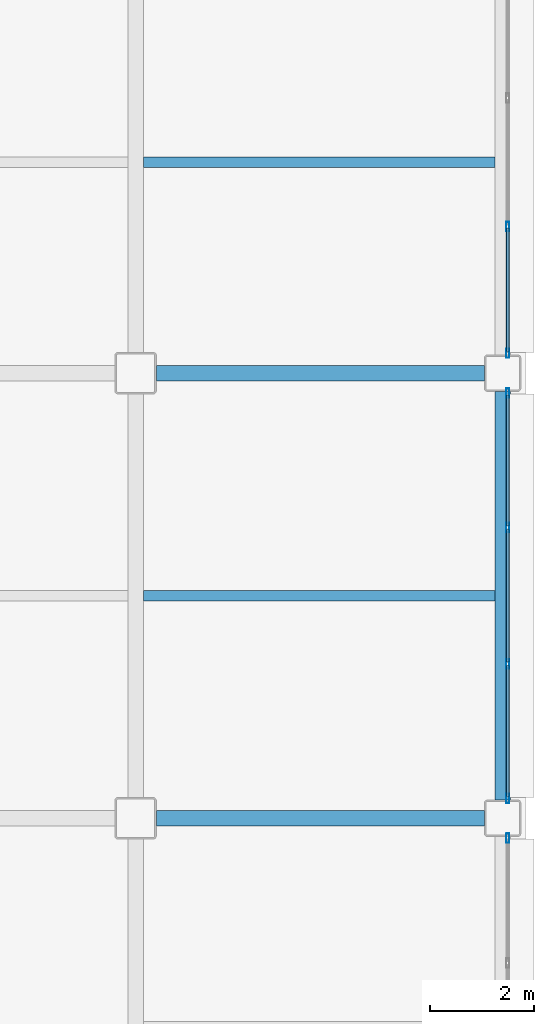
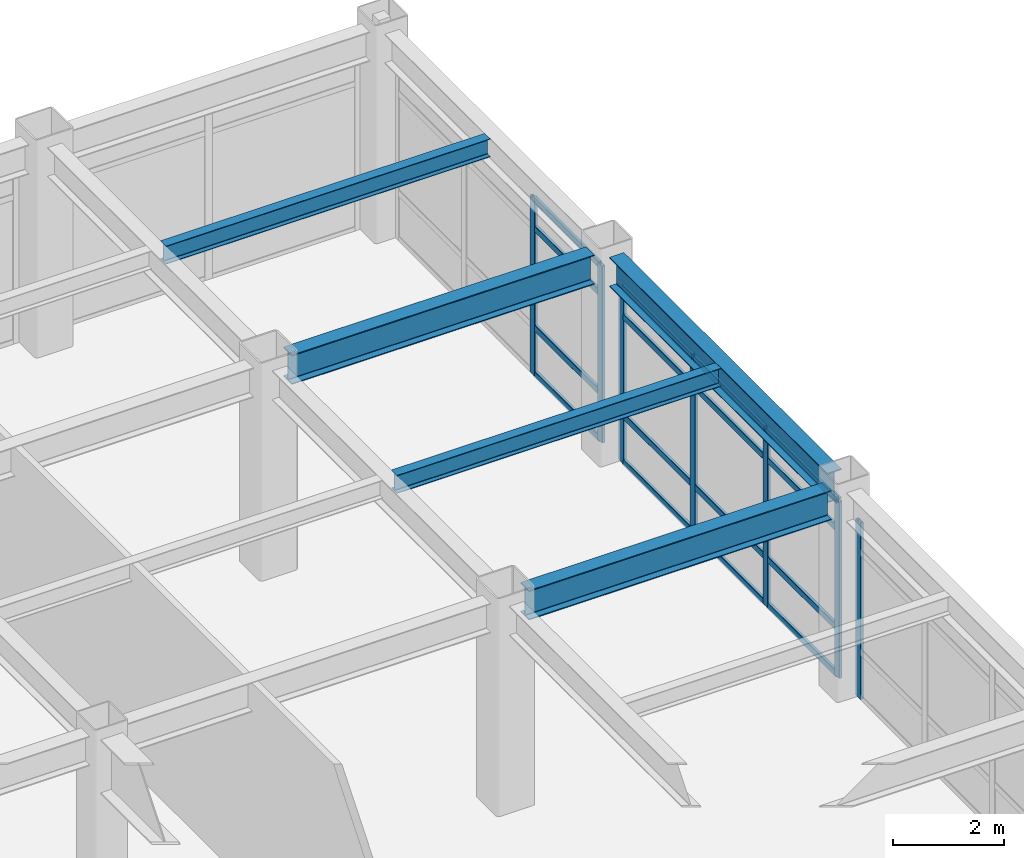
# One storey, part 112 of 154: 23 members, 5 beams, 3 elements without a shape of their own.
"""IFC4 building model written with IfcOpenShell, lengths in metres."""

from ifc_helpers import new_model, si_unit, direction, frame, origin, origin_2d, place, context, subcontext, project, spatial, hollow_rectangle, i_section, extrude, material, layer, layer_set, material_profile, profile_set, type_object, element, aggregate, save


model = new_model("IFC4")

# Units and contexts
model_context = context("Model", 3, precision=1e-05, world=origin(), true_north=direction((0.0, 1.0)))
body_context = subcontext(model_context, "Body", "Model", "MODEL_VIEW")
ifc_project = project(units=[si_unit("LENGTHUNIT", "METRE"), si_unit("AREAUNIT", "SQUARE_METRE"), si_unit("VOLUMEUNIT", "CUBIC_METRE"), si_unit("PLANEANGLEUNIT", "RADIAN"), si_unit("MASSUNIT", "GRAM", prefix="KILO")], contexts=[model_context])

# Site, building, storey
site_placement = place(None, origin())
site = spatial("IfcSite", under=ifc_project, at=site_placement, CompositionType="ELEMENT")
building_placement = place(site_placement, origin())
building = spatial("IfcBuilding", under=site, at=building_placement, Name="Kazehara Bluff Congress Hotel", CompositionType="ELEMENT")
storey_placement = place(building_placement, frame((0.0, 0.0, 10.199951171875)))
storey = spatial("IfcBuildingStorey", under=building, at=storey_placement, Name="L02", CompositionType="ELEMENT", Elevation=10.199951171875)

# Curtain wall, member
ifc_material_1 = material(Name="Anodised aluminium", Category="aluminium")
ifc_layer_1 = layer(ifc_material_1, 0.159912109375)
ifc_layer_set_1 = layer_set([ifc_layer_1], Name="Anodised aluminium")
curtain_wall_type_1 = type_object("IfcCurtainWallType", Name="TP-CW-80", PredefinedType="NOTDEFINED", material=ifc_layer_set_1)
curtain_wall_1_placement = place(storey_placement, origin())
curtain_wall_1 = element("IfcCurtainWall", 1, at=curtain_wall_1_placement, inside=storey, type_object=curtain_wall_type_1, Name="L02 curtain wall CW-80 CW-ENC-V5-L02-16765-9290", PredefinedType="NOTDEFINED")
ifc_material_2 = material(Name="Anodised aluminium", Category="aluminium")
ifc_material_profile_1 = material_profile(ifc_material_2, hollow_rectangle(XDim=0.06494140625, YDim=0.179931640625, WallThickness=0.00390625, InnerFilletRadius=0.00390625, OuterFilletRadius=0.008056640625, at=origin_2d()))
ifc_profile_set_1 = profile_set([ifc_material_profile_1], Name="Anodised aluminium")
member_type_1 = type_object("IfcMemberType", Name="TP-CWM-02", PredefinedType="MULLION", material=ifc_profile_set_1)
member_1_placement = place(storey_placement, frame((167.64990234375, 96.517578125, 0.0), z_axis=(0.0, 0.0, 1.0), x_axis=(1.0, 0.0, 0.0)))
member_1 = element("IfcMember", 2, at=member_1_placement, type_object=member_type_1, Name="CW-80 mullion 1", PredefinedType="MULLION", context=body_context, shape_type="SweptSolid", body=[
    extrude(hollow_rectangle(XDim=0.06494140625, YDim=0.179931640625, WallThickness=0.00390625, InnerFilletRadius=0.00390625, OuterFilletRadius=0.008056640625, at=origin_2d()), origin(), (0.0, 0.0, 1.0), 3.885009765625),
])
aggregate(curtain_wall_1, [member_1])

# Curtain wall, members
ifc_material_3 = material(Name="Anodised aluminium", Category="aluminium")
ifc_layer_2 = layer(ifc_material_3, 0.159912109375)
ifc_layer_set_2 = layer_set([ifc_layer_2], Name="Anodised aluminium")
curtain_wall_type_2 = type_object("IfcCurtainWallType", Name="TP-CW-117", PredefinedType="NOTDEFINED", material=ifc_layer_set_2)
curtain_wall_2_placement = place(storey_placement, origin())
curtain_wall_2 = element("IfcCurtainWall", 3, at=curtain_wall_2_placement, inside=storey, type_object=curtain_wall_type_2, Name="L02 curtain wall CW-117 CW-ENC-V5-L02-16765-10118", PredefinedType="NOTDEFINED")
member_2_placement = place(storey_placement, frame((167.64990234375, 105.0673828125, 0.0), z_axis=(0.0, 0.0, 1.0), x_axis=(1.0, 0.0, 0.0)))
member_2 = element("IfcMember", 4, at=member_2_placement, type_object=member_type_1, Name="CW-117 mullion 1", PredefinedType="MULLION", context=body_context, shape_type="SweptSolid", body=[
    extrude(hollow_rectangle(XDim=0.06494140625, YDim=0.179931640625, WallThickness=0.00390625, InnerFilletRadius=0.00390625, OuterFilletRadius=0.008056640625, at=origin_2d()), origin(), (0.0, 0.0, 1.0), 3.885009765625),
])
member_3_placement = place(storey_placement, frame((167.64990234375, 102.4833984375, 0.0), z_axis=(0.0, 0.0, 1.0), x_axis=(1.0, 0.0, 0.0)))
member_3 = element("IfcMember", 5, at=member_3_placement, type_object=member_type_1, Name="CW-117 mullion 2", PredefinedType="MULLION", context=body_context, shape_type="SweptSolid", body=[
    extrude(hollow_rectangle(XDim=0.06494140625, YDim=0.179931640625, WallThickness=0.00390625, InnerFilletRadius=0.00390625, OuterFilletRadius=0.008056640625, at=origin_2d()), origin(), (0.0, 0.0, 1.0), 3.885009765625),
])
member_4_placement = place(storey_placement, frame((167.64990234375, 99.86669921875, 0.0), z_axis=(0.0, 0.0, 1.0), x_axis=(1.0, 0.0, 0.0)))
member_4 = element("IfcMember", 6, at=member_4_placement, type_object=member_type_1, Name="CW-117 mullion 3", PredefinedType="MULLION", context=body_context, shape_type="SweptSolid", body=[
    extrude(hollow_rectangle(XDim=0.06494140625, YDim=0.179931640625, WallThickness=0.00390625, InnerFilletRadius=0.00390625, OuterFilletRadius=0.008056640625, at=origin_2d()), origin(), (0.0, 0.0, 1.0), 3.885009765625),
])
member_5_placement = place(storey_placement, frame((167.64990234375, 97.282470703125, 0.0), z_axis=(0.0, 0.0, 1.0), x_axis=(1.0, 0.0, 0.0)))
member_5 = element("IfcMember", 7, at=member_5_placement, type_object=member_type_1, Name="CW-117 mullion 4", PredefinedType="MULLION", context=body_context, shape_type="SweptSolid", body=[
    extrude(hollow_rectangle(XDim=0.06494140625, YDim=0.179931640625, WallThickness=0.00390625, InnerFilletRadius=0.00390625, OuterFilletRadius=0.008056640625, at=origin_2d()), origin(), (0.0, 0.0, 1.0), 3.885009765625),
])

ifc_material_4 = material(Name="Anodised aluminium", Category="aluminium")
ifc_layer_3 = layer(ifc_material_4, 0.159912109375)
ifc_layer_set_3 = layer_set([ifc_layer_3], Name="Anodised aluminium")
curtain_wall_type_3 = type_object("IfcCurtainWallType", Name="TP-CW-34", PredefinedType="NOTDEFINED", material=ifc_layer_set_3)
curtain_wall_3_placement = place(storey_placement, origin())
curtain_wall_3 = element("IfcCurtainWall", 8, at=curtain_wall_3_placement, inside=storey, type_object=curtain_wall_type_3, Name="L02 curtain wall CW-34 CW-ENC-V5-L02-16765-10950", PredefinedType="NOTDEFINED")
member_6_placement = place(storey_placement, frame((167.64990234375, 108.2666015625, 0.0), z_axis=(0.0, 0.0, 1.0), x_axis=(1.0, 0.0, 0.0)))
member_6 = element("IfcMember", 9, at=member_6_placement, type_object=member_type_1, Name="CW-34 mullion 3", PredefinedType="MULLION", context=body_context, shape_type="SweptSolid", body=[
    extrude(hollow_rectangle(XDim=0.06494140625, YDim=0.179931640625, WallThickness=0.00390625, InnerFilletRadius=0.00390625, OuterFilletRadius=0.008056640625, at=origin_2d()), origin(), (0.0, 0.0, 1.0), 3.885009765625),
])
member_7_placement = place(storey_placement, frame((167.64990234375, 105.83251953125, 0.0), z_axis=(0.0, 0.0, 1.0), x_axis=(1.0, 0.0, 0.0)))
member_7 = element("IfcMember", 10, at=member_7_placement, type_object=member_type_1, Name="CW-34 mullion 4", PredefinedType="MULLION", context=body_context, shape_type="SweptSolid", body=[
    extrude(hollow_rectangle(XDim=0.06494140625, YDim=0.179931640625, WallThickness=0.00390625, InnerFilletRadius=0.00390625, OuterFilletRadius=0.008056640625, at=origin_2d()), origin(), (0.0, 0.0, 1.0), 3.885009765625),
])

# Member
ifc_material_5 = material(Name="Anodised aluminium", Category="aluminium")
ifc_material_profile_2 = material_profile(ifc_material_5, hollow_rectangle(XDim=0.06494140625, YDim=0.139892578125, WallThickness=0.00390625, InnerFilletRadius=0.00390625, OuterFilletRadius=0.008056640625, at=origin_2d()))
ifc_profile_set_2 = profile_set([ifc_material_profile_2], Name="Anodised aluminium")
member_type_2 = type_object("IfcMemberType", Name="TP-CWT-02", PredefinedType="USERDEFINED", material=ifc_profile_set_2)
member_8_placement = place(storey_placement, frame((167.64990234375, 105.034912109375, 0.032470703125), z_axis=(0.0, -1.0, 0.0), x_axis=(1.0, 0.0, 0.0)))
member_8 = element("IfcMember", 11, at=member_8_placement, type_object=member_type_2, Name="CW-117 transom 1.1", ObjectType="TRANSOM", PredefinedType="USERDEFINED", context=body_context, shape_type="SweptSolid", body=[
    extrude(hollow_rectangle(XDim=0.06494140625, YDim=0.139892578125, WallThickness=0.00390625, InnerFilletRadius=0.00390625, OuterFilletRadius=0.008056640625, at=origin_2d()), origin(), (0.0, 0.0, 1.0), 2.51904296875),
])

member_9_placement = place(storey_placement, frame((167.64990234375, 105.034912109375, 1.050048828125), z_axis=(0.0, -1.0, 0.0), x_axis=(1.0, 0.0, 0.0)))
member_9 = element("IfcMember", 12, at=member_9_placement, type_object=member_type_2, Name="CW-117 transom 1.2", ObjectType="TRANSOM", PredefinedType="USERDEFINED", context=body_context, shape_type="SweptSolid", body=[
    extrude(hollow_rectangle(XDim=0.06494140625, YDim=0.139892578125, WallThickness=0.00390625, InnerFilletRadius=0.00390625, OuterFilletRadius=0.008056640625, at=origin_2d()), origin(), (0.0, 0.0, 1.0), 2.51904296875),
])

member_10_placement = place(storey_placement, frame((167.64990234375, 105.034912109375, 3.235107421875), z_axis=(0.0, -1.0, 0.0), x_axis=(1.0, 0.0, 0.0)))
member_10 = element("IfcMember", 13, at=member_10_placement, type_object=member_type_2, Name="CW-117 transom 1.3", ObjectType="TRANSOM", PredefinedType="USERDEFINED", context=body_context, shape_type="SweptSolid", body=[
    extrude(hollow_rectangle(XDim=0.06494140625, YDim=0.139892578125, WallThickness=0.00390625, InnerFilletRadius=0.00390625, OuterFilletRadius=0.008056640625, at=origin_2d()), origin(), (0.0, 0.0, 1.0), 2.51904296875),
])

member_11_placement = place(storey_placement, frame((167.64990234375, 105.034912109375, 3.8525390625), z_axis=(0.0, -1.0, 0.0), x_axis=(1.0, 0.0, 0.0)))
member_11 = element("IfcMember", 14, at=member_11_placement, type_object=member_type_2, Name="CW-117 transom 1.4", ObjectType="TRANSOM", PredefinedType="USERDEFINED", context=body_context, shape_type="SweptSolid", body=[
    extrude(hollow_rectangle(XDim=0.06494140625, YDim=0.139892578125, WallThickness=0.00390625, InnerFilletRadius=0.00390625, OuterFilletRadius=0.008056640625, at=origin_2d()), origin(), (0.0, 0.0, 1.0), 2.51904296875),
])

member_12_placement = place(storey_placement, frame((167.64990234375, 102.450927734375, 0.032470703125), z_axis=(0.0, -1.0, 0.0), x_axis=(1.0, 0.0, 0.0)))
member_12 = element("IfcMember", 15, at=member_12_placement, type_object=member_type_2, Name="CW-117 transom 2.1", ObjectType="TRANSOM", PredefinedType="USERDEFINED", context=body_context, shape_type="SweptSolid", body=[
    extrude(hollow_rectangle(XDim=0.06494140625, YDim=0.139892578125, WallThickness=0.00390625, InnerFilletRadius=0.00390625, OuterFilletRadius=0.008056640625, at=origin_2d()), origin(), (0.0, 0.0, 1.0), 2.5517578125),
])

member_13_placement = place(storey_placement, frame((167.64990234375, 102.450927734375, 1.050048828125), z_axis=(0.0, -1.0, 0.0), x_axis=(1.0, 0.0, 0.0)))
member_13 = element("IfcMember", 16, at=member_13_placement, type_object=member_type_2, Name="CW-117 transom 2.2", ObjectType="TRANSOM", PredefinedType="USERDEFINED", context=body_context, shape_type="SweptSolid", body=[
    extrude(hollow_rectangle(XDim=0.06494140625, YDim=0.139892578125, WallThickness=0.00390625, InnerFilletRadius=0.00390625, OuterFilletRadius=0.008056640625, at=origin_2d()), origin(), (0.0, 0.0, 1.0), 2.5517578125),
])

member_14_placement = place(storey_placement, frame((167.64990234375, 102.450927734375, 3.235107421875), z_axis=(0.0, -1.0, 0.0), x_axis=(1.0, 0.0, 0.0)))
member_14 = element("IfcMember", 17, at=member_14_placement, type_object=member_type_2, Name="CW-117 transom 2.3", ObjectType="TRANSOM", PredefinedType="USERDEFINED", context=body_context, shape_type="SweptSolid", body=[
    extrude(hollow_rectangle(XDim=0.06494140625, YDim=0.139892578125, WallThickness=0.00390625, InnerFilletRadius=0.00390625, OuterFilletRadius=0.008056640625, at=origin_2d()), origin(), (0.0, 0.0, 1.0), 2.5517578125),
])

member_15_placement = place(storey_placement, frame((167.64990234375, 102.450927734375, 3.8525390625), z_axis=(0.0, -1.0, 0.0), x_axis=(1.0, 0.0, 0.0)))
member_15 = element("IfcMember", 18, at=member_15_placement, type_object=member_type_2, Name="CW-117 transom 2.4", ObjectType="TRANSOM", PredefinedType="USERDEFINED", context=body_context, shape_type="SweptSolid", body=[
    extrude(hollow_rectangle(XDim=0.06494140625, YDim=0.139892578125, WallThickness=0.00390625, InnerFilletRadius=0.00390625, OuterFilletRadius=0.008056640625, at=origin_2d()), origin(), (0.0, 0.0, 1.0), 2.5517578125),
])

member_16_placement = place(storey_placement, frame((167.64990234375, 99.834228515625, 0.032470703125), z_axis=(0.0, -1.0, 0.0), x_axis=(1.0, 0.0, 0.0)))
member_16 = element("IfcMember", 19, at=member_16_placement, type_object=member_type_2, Name="CW-117 transom 3.1", ObjectType="TRANSOM", PredefinedType="USERDEFINED", context=body_context, shape_type="SweptSolid", body=[
    extrude(hollow_rectangle(XDim=0.06494140625, YDim=0.139892578125, WallThickness=0.00390625, InnerFilletRadius=0.00390625, OuterFilletRadius=0.008056640625, at=origin_2d()), origin(), (0.0, 0.0, 1.0), 2.519287109375),
])

member_17_placement = place(storey_placement, frame((167.64990234375, 99.834228515625, 1.050048828125), z_axis=(0.0, -1.0, 0.0), x_axis=(1.0, 0.0, 0.0)))
member_17 = element("IfcMember", 20, at=member_17_placement, type_object=member_type_2, Name="CW-117 transom 3.2", ObjectType="TRANSOM", PredefinedType="USERDEFINED", context=body_context, shape_type="SweptSolid", body=[
    extrude(hollow_rectangle(XDim=0.06494140625, YDim=0.139892578125, WallThickness=0.00390625, InnerFilletRadius=0.00390625, OuterFilletRadius=0.008056640625, at=origin_2d()), origin(), (0.0, 0.0, 1.0), 2.519287109375),
])

member_18_placement = place(storey_placement, frame((167.64990234375, 99.834228515625, 3.235107421875), z_axis=(0.0, -1.0, 0.0), x_axis=(1.0, 0.0, 0.0)))
member_18 = element("IfcMember", 21, at=member_18_placement, type_object=member_type_2, Name="CW-117 transom 3.3", ObjectType="TRANSOM", PredefinedType="USERDEFINED", context=body_context, shape_type="SweptSolid", body=[
    extrude(hollow_rectangle(XDim=0.06494140625, YDim=0.139892578125, WallThickness=0.00390625, InnerFilletRadius=0.00390625, OuterFilletRadius=0.008056640625, at=origin_2d()), origin(), (0.0, 0.0, 1.0), 2.519287109375),
])

member_19_placement = place(storey_placement, frame((167.64990234375, 99.834228515625, 3.8525390625), z_axis=(0.0, -1.0, 0.0), x_axis=(1.0, 0.0, 0.0)))
member_19 = element("IfcMember", 22, at=member_19_placement, type_object=member_type_2, Name="CW-117 transom 3.4", ObjectType="TRANSOM", PredefinedType="USERDEFINED", context=body_context, shape_type="SweptSolid", body=[
    extrude(hollow_rectangle(XDim=0.06494140625, YDim=0.139892578125, WallThickness=0.00390625, InnerFilletRadius=0.00390625, OuterFilletRadius=0.008056640625, at=origin_2d()), origin(), (0.0, 0.0, 1.0), 2.519287109375),
])

aggregate(curtain_wall_2, [member_2, member_3, member_4, member_5, member_8, member_9, member_10, member_11, member_12, member_13, member_14, member_15, member_16, member_17, member_18, member_19])

member_20_placement = place(storey_placement, frame((167.64990234375, 108.234130859375, 0.032470703125), z_axis=(0.0, -1.0, 0.0), x_axis=(1.0, 0.0, 0.0)))
member_20 = element("IfcMember", 23, at=member_20_placement, type_object=member_type_2, Name="CW-34 transom 3.1", ObjectType="TRANSOM", PredefinedType="USERDEFINED", context=body_context, shape_type="SweptSolid", body=[
    extrude(hollow_rectangle(XDim=0.06494140625, YDim=0.139892578125, WallThickness=0.00390625, InnerFilletRadius=0.00390625, OuterFilletRadius=0.008056640625, at=origin_2d()), origin(), (0.0, 0.0, 1.0), 2.369140625),
])

member_21_placement = place(storey_placement, frame((167.64990234375, 108.234130859375, 1.050048828125), z_axis=(0.0, -1.0, 0.0), x_axis=(1.0, 0.0, 0.0)))
member_21 = element("IfcMember", 24, at=member_21_placement, type_object=member_type_2, Name="CW-34 transom 3.2", ObjectType="TRANSOM", PredefinedType="USERDEFINED", context=body_context, shape_type="SweptSolid", body=[
    extrude(hollow_rectangle(XDim=0.06494140625, YDim=0.139892578125, WallThickness=0.00390625, InnerFilletRadius=0.00390625, OuterFilletRadius=0.008056640625, at=origin_2d()), origin(), (0.0, 0.0, 1.0), 2.369140625),
])

member_22_placement = place(storey_placement, frame((167.64990234375, 108.234130859375, 3.235107421875), z_axis=(0.0, -1.0, 0.0), x_axis=(1.0, 0.0, 0.0)))
member_22 = element("IfcMember", 25, at=member_22_placement, type_object=member_type_2, Name="CW-34 transom 3.3", ObjectType="TRANSOM", PredefinedType="USERDEFINED", context=body_context, shape_type="SweptSolid", body=[
    extrude(hollow_rectangle(XDim=0.06494140625, YDim=0.139892578125, WallThickness=0.00390625, InnerFilletRadius=0.00390625, OuterFilletRadius=0.008056640625, at=origin_2d()), origin(), (0.0, 0.0, 1.0), 2.369140625),
])

member_23_placement = place(storey_placement, frame((167.64990234375, 108.234130859375, 3.8525390625), z_axis=(0.0, -1.0, 0.0), x_axis=(1.0, 0.0, 0.0)))
member_23 = element("IfcMember", 26, at=member_23_placement, type_object=member_type_2, Name="CW-34 transom 3.4", ObjectType="TRANSOM", PredefinedType="USERDEFINED", context=body_context, shape_type="SweptSolid", body=[
    extrude(hollow_rectangle(XDim=0.06494140625, YDim=0.139892578125, WallThickness=0.00390625, InnerFilletRadius=0.00390625, OuterFilletRadius=0.008056640625, at=origin_2d()), origin(), (0.0, 0.0, 1.0), 2.369140625),
])

aggregate(curtain_wall_3, [member_6, member_7, member_20, member_21, member_22, member_23])

# Beams
ifc_material_6 = material(Name="Steel SN490B", Category="steel")
ifc_material_profile_3 = material_profile(ifc_material_6, i_section(OverallWidth=0.300048828125, OverallDepth=0.64990234375, WebThickness=0.011962890625, FlangeThickness=0.02001953125, FilletRadius=0.012939453125, at=origin_2d()))
ifc_profile_set_3 = profile_set([ifc_material_profile_3], Name="Steel SN490B")
beam_type_1 = type_object("IfcBeamType", Name="TP-G-03", PredefinedType="BEAM", material=ifc_profile_set_3)
beam_placement = place(storey_placement, frame((167.550048828125, 97.25, 4.235107421875), z_axis=(0.0, 1.0, 0.0), x_axis=(-1.0, 0.0, 0.0)))
element("IfcBeam", 27, at=beam_placement, inside=storey, type_object=beam_type_1, Name="L02 girder G-03 178", PredefinedType="BEAM", context=body_context, shape_type="SweptSolid", body=[
    extrude(i_section(OverallWidth=0.300048828125, OverallDepth=0.64990234375, WebThickness=0.011962890625, FlangeThickness=0.02001953125, FilletRadius=0.012939453125, at=origin_2d()), origin(), (0.0, 0.0, 1.0), 7.85009765625),
])
for number, where, z_axis, x_axis, name in (
    (28, (160.89990234375, 96.89990234375, 4.235107421875), (1.0, 0.0, 0.0), (0.0, 1.0, 0.0), "L02 girder G-03 221"),
    (29, (160.89990234375, 105.449951171875, 4.235107421875), (1.0, 0.0, 0.0), (0.0, 1.0, 0.0), "L02 girder G-03 224"),
):
    element("IfcBeam", number, at=place(storey_placement, frame(where, z_axis=z_axis, x_axis=x_axis)), inside=storey, type_object=beam_type_1, Name=name, PredefinedType="BEAM", context=body_context, shape_type="SweptSolid", body=[
        extrude(i_section(OverallWidth=0.300048828125, OverallDepth=0.64990234375, WebThickness=0.011962890625, FlangeThickness=0.02001953125, FilletRadius=0.012939453125, at=origin_2d()), origin(), (0.0, 0.0, 1.0), 6.300048828125),
    ])
ifc_material_7 = material(Name="Steel SN400B", Category="steel")
ifc_material_profile_4 = material_profile(ifc_material_7, i_section(OverallWidth=0.199951171875, OverallDepth=0.39990234375, WebThickness=0.008056640625, FlangeThickness=0.012939453125, FilletRadius=0.012939453125, at=origin_2d()))
ifc_profile_set_4 = profile_set([ifc_material_profile_4], Name="Steel SN400B")
beam_type_2 = type_object("IfcBeamType", Name="TP-J-03", PredefinedType="JOIST", material=ifc_profile_set_4)
for number, where, z_axis, x_axis, name in (
    (30, (160.64990234375, 101.175048828125, 4.360107421875), (1.0, 0.0, 0.0), (0.0, 1.0, 0.0), "L02 secondary joist J-03 52"),
    (31, (160.64990234375, 109.5, 4.360107421875), (1.0, 0.0, 0.0), (0.0, 1.0, 0.0), "L02 secondary joist J-03 53"),
):
    element("IfcBeam", number, at=place(storey_placement, frame(where, z_axis=z_axis, x_axis=x_axis)), inside=storey, type_object=beam_type_2, Name=name, PredefinedType="JOIST", context=body_context, shape_type="SweptSolid", body=[
        extrude(i_section(OverallWidth=0.199951171875, OverallDepth=0.39990234375, WebThickness=0.008056640625, FlangeThickness=0.012939453125, FilletRadius=0.012939453125, at=origin_2d()), origin(), (0.0, 0.0, 1.0), 6.75),
    ])

save(model, "model.ifc")
